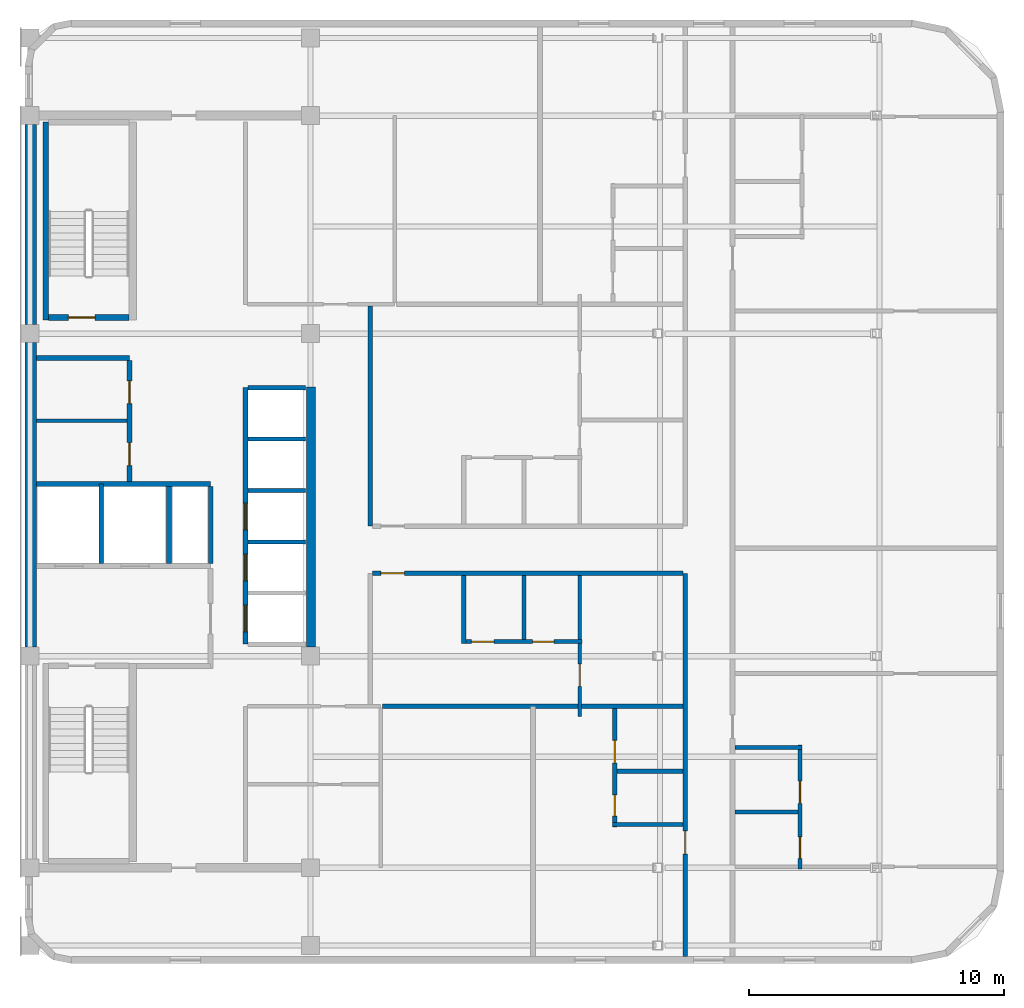
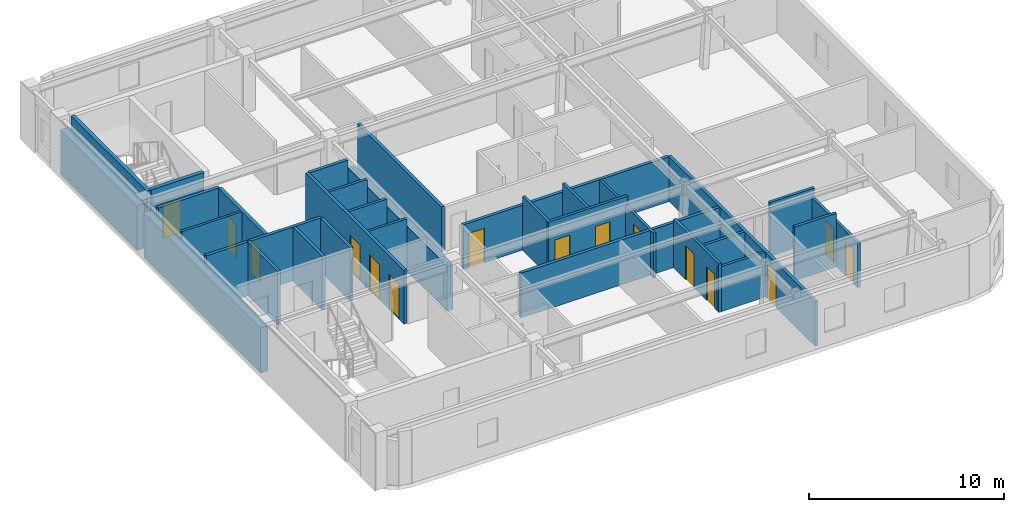
# One storey, part 3 of 6: 31 walls, 15 doors, 15 openings.
"""IFC4 building model written with IfcOpenShell, lengths in metres."""

from ifc_helpers import new_model, si_unit, direction, frame, frame_2d, origin, place, context, subcontext, project, spatial, rectangle, extrude, material, layer, layer_set, type_object, element, fill, save


model = new_model("IFC4")

# Units and contexts
model_context = context("Model", 3, precision=1e-05, world=origin(), true_north=direction((0.0, 1.0)))
body_context = subcontext(model_context, "Body", "Model", "MODEL_VIEW")
ifc_project = project(units=[si_unit("LENGTHUNIT", "METRE"), si_unit("AREAUNIT", "SQUARE_METRE"), si_unit("VOLUMEUNIT", "CUBIC_METRE"), si_unit("PLANEANGLEUNIT", "RADIAN"), si_unit("MASSUNIT", "GRAM", prefix="KILO")], contexts=[model_context])

# Site, building, storey
site_placement = place(None, origin())
site = spatial("IfcSite", under=ifc_project, at=site_placement, CompositionType="ELEMENT")
building_placement = place(site_placement, origin())
building = spatial("IfcBuilding", under=site, at=building_placement, Name="Ochreholt Gables", CompositionType="ELEMENT")
storey_placement = place(building_placement, frame((0.0, 0.0, 253.199951171875)))
storey = spatial("IfcBuildingStorey", under=building, at=storey_placement, Name="L66", CompositionType="ELEMENT", Elevation=253.199951171875)

# Walls
ifc_material_1 = material(Name="Concrete 50 MPa", Category="concrete")
ifc_layer_1 = layer(ifc_material_1, 0.35009765625, Name="Concrete 50 MPa")
ifc_layer_set_1 = layer_set([ifc_layer_1], Name="Concrete 50 MPa")
wall_type_1 = type_object("IfcWallType", Name="WALL-CSW-350", PredefinedType="SHEAR", material=ifc_layer_set_1)
wall_1_placement = place(storey_placement, frame((35.22509765625, 17.89990234375, 0.0), z_axis=(0.0, 0.0, 1.0), x_axis=(0.0, 1.0, 0.0)))
element("IfcWall", 1, at=wall_1_placement, inside=storey, type_object=wall_type_1, Name="L66 Core Central-East Shear Wall", PredefinedType="SHEAR", context=body_context, shape_type="SweptSolid", body=[
    extrude(rectangle(XDim=10.2001953125, YDim=0.35009765625, at=frame_2d((5.10009765625, 0.0))), origin(), (0.0, 0.0, 1.0), 2.821044921875),
])
ifc_layer_2 = layer(ifc_material_1, 0.449951171875, Name="Concrete 50 MPa")
ifc_layer_set_2 = layer_set([ifc_layer_2], Name="Concrete 50 MPa")
wall_type_2 = type_object("IfcWallType", Name="WALL-CSW-EXT", PredefinedType="SHEAR", material=ifc_layer_set_2)
wall_2_placement = place(storey_placement, frame((24.22509765625, 17.89990234375, 0.0), z_axis=(0.0, 0.0, 1.0), x_axis=(0.0, 1.0, 0.0)))
element("IfcWall", 2, at=wall_2_placement, inside=storey, type_object=wall_type_2, Name="L66 Core West Shear Wall WM", PredefinedType="SHEAR", context=body_context, shape_type="SweptSolid", body=[
    extrude(rectangle(XDim=11.9501953125, YDim=0.449951171875, at=frame_2d((5.97509765625, 0.0))), origin(), (0.0, 0.0, 1.0), 2.821044921875),
])
wall_3_placement = place(storey_placement, frame((24.22509765625, 30.550048828125, 0.0), z_axis=(0.0, 0.0, 1.0), x_axis=(0.0, 1.0, 0.0)))
element("IfcWall", 3, at=wall_3_placement, inside=storey, type_object=wall_type_2, Name="L66 Core West Shear Wall WN", PredefinedType="SHEAR", context=body_context, shape_type="SweptSolid", body=[
    extrude(rectangle(XDim=7.849853515625, YDim=0.449951171875, at=frame_2d((3.9248046875, 0.0))), origin(), (0.0, 0.0, 1.0), 2.821044921875),
])
ifc_material_2 = material(Name="Concrete 40 MPa", Category="concrete")
ifc_layer_3 = layer(ifc_material_2, 0.199951171875, Name="Concrete 40 MPa")
ifc_layer_set_3 = layer_set([ifc_layer_3], Name="Concrete 40 MPa")
wall_type_3 = type_object("IfcWallType", Name="WALL-INT-CF200", PredefinedType="STANDARD", material=ifc_layer_set_3)
wall_4_placement = place(storey_placement, frame((24.449951171875, 29.239990234375, 0.0), z_axis=(0.0, 0.0, 1.0), x_axis=(1.0, 0.0, 0.0)))
element("IfcWall", 4, at=wall_4_placement, inside=storey, type_object=wall_type_3, Name="L66 Interior Wall WI-SRVN-L66", PredefinedType="STANDARD", context=body_context, shape_type="SweptSolid", body=[
    extrude(rectangle(XDim=3.650146484375, YDim=0.199951171875, at=frame_2d((1.8251953125, 0.0))), origin(), (0.0, 0.0, 1.0), 3.360107421875),
])

# Wall, openings, doors
wall_5_placement = place(storey_placement, frame((28.10009765625, 24.389892578125, 0.0), z_axis=(0.0, 0.0, 1.0), x_axis=(0.0, 1.0, 0.0)))
wall_5 = element("IfcWall", 5, at=wall_5_placement, inside=storey, type_object=wall_type_3, Name="L66 Interior Wall WI-SRVE-L66", PredefinedType="STANDARD", context=body_context, shape_type="SweptSolid", body=[
    extrude(rectangle(XDim=4.75, YDim=0.199951171875, at=frame_2d((2.375, 0.0))), origin(), (0.0, 0.0, 1.0), 3.360107421875),
])
opening_1_placement = place(wall_5_placement, frame((0.6298828125, 0.0, 0.0)))
opening_1 = element("IfcOpeningElement", 6, at=opening_1_placement, cuts=wall_5, Name="Opening D-SV1", PredefinedType="OPENING", context=body_context, shape_type="SweptSolid", body=[
    extrude(rectangle(XDim=0.89990234375, YDim=2.10009765625, at=frame_2d((0.449951171875, 1.050048828125))), frame((0.0, 0.10986328125, 0.0), z_axis=(0.0, -1.0, 0.0), x_axis=(1.0, 0.0, 0.0)), (0.0, 0.0, 1.0), 0.219970703125),
])
opening_2_placement = place(wall_5_placement, frame((3.06005859375, 0.0, 0.0)))
opening_2 = element("IfcOpeningElement", 7, at=opening_2_placement, cuts=wall_5, Name="Opening D-SV1", PredefinedType="OPENING", context=body_context, shape_type="SweptSolid", body=[
    extrude(rectangle(XDim=0.89990234375, YDim=2.10009765625, at=frame_2d((0.449951171875, 1.050048828125))), frame((0.0, 0.10986328125, 0.0), z_axis=(0.0, -1.0, 0.0), x_axis=(1.0, 0.0, 0.0)), (0.0, 0.0, 1.0), 0.219970703125),
])
ifc_material_3 = material(Name="Hollow Metal Steel", Category="steel")
door_type_1 = type_object("IfcDoorType", Name="DR-INT-SRV900", OperationType="NOTDEFINED", PredefinedType="DOOR", material=ifc_material_3)
door_1_placement = place(opening_1_placement, origin())
door_1 = element("IfcDoor", 8, at=door_1_placement, inside=storey, type_object=door_type_1, Name="L66 Door D-SRV1-L66", OperationType="SINGLE_SWING_LEFT", OverallHeight=2.10009765625, OverallWidth=0.89990234375, PredefinedType="DOOR", context=body_context, shape_type="SweptSolid", body=[
    extrude(rectangle(XDim=0.89990234375, YDim=2.10009765625, at=frame_2d((0.449951171875, 1.050048828125))), frame((0.0, 0.02490234375, 0.0), z_axis=(0.0, -1.0, 0.0), x_axis=(1.0, 0.0, 0.0)), (0.0, 0.0, 1.0), 0.050048828125),
])
fill(opening_1, door_1)
door_2_placement = place(opening_2_placement, origin())
door_2 = element("IfcDoor", 9, at=door_2_placement, inside=storey, type_object=door_type_1, Name="L66 Door D-SRV2-L66", OperationType="SINGLE_SWING_RIGHT", OverallHeight=2.10009765625, OverallWidth=0.89990234375, PredefinedType="DOOR", context=body_context, shape_type="SweptSolid", body=[
    extrude(rectangle(XDim=0.89990234375, YDim=2.10009765625, at=frame_2d((0.449951171875, 1.050048828125))), frame((0.0, 0.02490234375, 0.0), z_axis=(0.0, -1.0, 0.0), x_axis=(1.0, 0.0, 0.0)), (0.0, 0.0, 1.0), 0.050048828125),
])
fill(opening_2, door_2)

# Wall
ifc_material_4 = material(Name="Fire-Rated Gypsum Acoustic Partition", Category="gypsum")
ifc_layer_4 = layer(ifc_material_4, 0.179931640625, Name="Fire-Rated Gypsum Acoustic Partition")
ifc_layer_set_4 = layer_set([ifc_layer_4], Name="Fire-Rated Gypsum Acoustic Partition")
wall_type_4 = type_object("IfcWallType", Name="WALL-INT-CR180", PredefinedType="STANDARD", material=ifc_layer_set_4)
wall_6_placement = place(storey_placement, frame((37.550048828125, 22.64990234375, 0.0), z_axis=(0.0, 0.0, 1.0), x_axis=(0.0, 1.0, 0.0)))
element("IfcWall", 10, at=wall_6_placement, inside=storey, type_object=wall_type_4, Name="L66 Interior Wall WI-C3CE2-L66", PredefinedType="STANDARD", context=body_context, shape_type="SweptSolid", body=[
    extrude(rectangle(XDim=8.627685546875, YDim=0.179931640625, at=frame_2d((4.31396484375, 0.0))), origin(), (0.0, 0.0, 1.0), 2.802978515625),
])

# Wall, opening, door
wall_7_placement = place(storey_placement, frame((49.89990234375, 5.77001953125, 0.0), z_axis=(0.0, 0.0, 1.0), x_axis=(0.0, 1.0, 0.0)))
wall_7 = element("IfcWall", 11, at=wall_7_placement, inside=storey, type_object=wall_type_4, Name="L66 Interior Wall WI-C3GW0-L66", PredefinedType="STANDARD", context=body_context, shape_type="SweptSolid", body=[
    extrude(rectangle(XDim=15.030029296875, YDim=0.179931640625, at=frame_2d((7.51513671875, 0.0))), origin(), (0.0, 0.0, 1.0), 2.802978515625),
])
opening_3_placement = place(wall_7_placement, frame((4.010009765625, 0.0, 0.0)))
opening_3 = element("IfcOpeningElement", 12, at=opening_3_placement, cuts=wall_7, Name="Opening D-UN1", PredefinedType="OPENING", context=body_context, shape_type="SweptSolid", body=[
    extrude(rectangle(XDim=0.919921875, YDim=2.14990234375, at=frame_2d((0.4599609375, 1.074951171875))), frame((0.0, 0.099853515625, 0.0), z_axis=(0.0, -1.0, 0.0), x_axis=(1.0, 0.0, 0.0)), (0.0, 0.0, 1.0), 0.199951171875),
])
ifc_material_5 = material(Name="Engineered Oak Timber", Category="wood")
door_type_2 = type_object("IfcDoorType", Name="DR-INT-UNT920", OperationType="NOTDEFINED", PredefinedType="DOOR", material=ifc_material_5)
door_3_placement = place(opening_3_placement, origin())
door_3 = element("IfcDoor", 13, at=door_3_placement, inside=storey, type_object=door_type_2, Name="L66 Door D-U-L66SM1-ENT", OperationType="SINGLE_SWING_RIGHT", OverallHeight=2.14990234375, OverallWidth=0.919921875, PredefinedType="DOOR", context=body_context, shape_type="SweptSolid", body=[
    extrude(rectangle(XDim=0.919921875, YDim=2.14990234375, at=frame_2d((0.4599609375, 1.074951171875))), frame((0.0, 0.02490234375, 0.0), z_axis=(0.0, -1.0, 0.0), x_axis=(1.0, 0.0, 0.0)), (0.0, 0.0, 1.0), 0.050048828125),
])
fill(opening_3, door_3)

wall_8_placement = place(storey_placement, frame((37.639892578125, 20.800048828125, 0.0), z_axis=(0.0, 0.0, 1.0), x_axis=(1.0, 0.0, 0.0)))
wall_8 = element("IfcWall", 14, at=wall_8_placement, inside=storey, type_object=wall_type_4, Name="L66 Interior Wall WI-C3BRS1-L66", PredefinedType="STANDARD", context=body_context, shape_type="SweptSolid", body=[
    extrude(rectangle(XDim=12.170166015625, YDim=0.179931640625, at=frame_2d((6.0849609375, 0.0))), origin(), (0.0, 0.0, 1.0), 2.802978515625),
])
opening_4_placement = place(wall_8_placement, frame((0.320068359375, 0.0, 0.0)))
opening_4 = element("IfcOpeningElement", 15, at=opening_4_placement, cuts=wall_8, Name="Opening D-UN1", PredefinedType="OPENING", context=body_context, shape_type="SweptSolid", body=[
    extrude(rectangle(XDim=0.919921875, YDim=2.14990234375, at=frame_2d((0.4599609375, 1.074951171875))), frame((0.0, 0.099853515625, 0.0), z_axis=(0.0, -1.0, 0.0), x_axis=(1.0, 0.0, 0.0)), (0.0, 0.0, 1.0), 0.199951171875),
])
door_4_placement = place(opening_4_placement, origin())
door_4 = element("IfcDoor", 16, at=door_4_placement, inside=storey, type_object=door_type_2, Name="L66 Door D-U-L66SM2-ENT", OperationType="SINGLE_SWING_RIGHT", OverallHeight=2.14990234375, OverallWidth=0.919921875, PredefinedType="DOOR", context=body_context, shape_type="SweptSolid", body=[
    extrude(rectangle(XDim=0.919921875, YDim=2.14990234375, at=frame_2d((0.4599609375, 1.074951171875))), frame((0.0, 0.02490234375, 0.0), z_axis=(0.0, -1.0, 0.0), x_axis=(1.0, 0.0, 0.0)), (0.0, 0.0, 1.0), 0.050048828125),
])
fill(opening_4, door_4)

# Walls
ifc_material_6 = material(Name="Double-Stud Acoustic Demising Wall", Category="gypsum")
ifc_layer_5 = layer(ifc_material_6, 0.18505859375, Name="Double-Stud Acoustic Demising Wall")
ifc_layer_set_5 = layer_set([ifc_layer_5], Name="Double-Stud Acoustic Demising Wall")
wall_type_5 = type_object("IfcWallType", Name="WALL-INT-DM185", PredefinedType="PARTITIONING", material=ifc_layer_set_5)
wall_9_placement = place(storey_placement, frame((38.0224609375, 15.580078125, 0.0), z_axis=(0.0, 0.0, 1.0), x_axis=(1.0, 0.0, 0.0)))
element("IfcWall", 17, at=wall_9_placement, inside=storey, type_object=wall_type_5, Name="L66 Interior Wall WI-C3SMY-L66", PredefinedType="PARTITIONING", context=body_context, shape_type="SweptSolid", body=[
    extrude(rectangle(XDim=11.78759765625, YDim=0.18505859375, at=frame_2d((5.893798828125, 0.0))), origin(), (0.0, 0.0, 1.0), 2.802978515625),
])
ifc_material_7 = material(Name="Moisture-Resistant Plumbing Chase Wall", Category="gypsum")
ifc_layer_6 = layer(ifc_material_7, 0.159912109375, Name="Moisture-Resistant Plumbing Chase Wall")
ifc_layer_set_6 = layer_set([ifc_layer_6], Name="Moisture-Resistant Plumbing Chase Wall")
wall_type_6 = type_object("IfcWallType", Name="WALL-INT-PL160", PredefinedType="PLUMBINGWALL", material=ifc_layer_set_6)
wall_10_placement = place(storey_placement, frame((51.840087890625, 13.968505859375, 0.0), z_axis=(0.0, 0.0, 1.0), x_axis=(1.0, 0.0, 0.0)))
element("IfcWall", 18, at=wall_10_placement, inside=storey, type_object=wall_type_6, Name="L66 Interior Wall WU-L66E1-FYN", PredefinedType="PLUMBINGWALL", context=body_context, shape_type="SweptSolid", body=[
    extrude(rectangle(XDim=2.635986328125, YDim=0.159912109375, at=frame_2d((1.31787109375, 0.0))), origin(), (0.0, 0.0, 1.0), 3.360107421875),
])

# Wall, openings, doors
wall_11_placement = place(storey_placement, frame((54.39599609375, 9.199951171875, 0.0), z_axis=(0.0, 0.0, 1.0), x_axis=(0.0, 1.0, 0.0)))
wall_11 = element("IfcWall", 19, at=wall_11_placement, inside=storey, type_object=wall_type_6, Name="L66 Interior Wall WU-L66E1-WX", PredefinedType="PLUMBINGWALL", context=body_context, shape_type="SweptSolid", body=[
    extrude(rectangle(XDim=4.858642578125, YDim=0.159912109375, at=frame_2d((2.42919921875, 0.0))), origin(), (0.0, 0.0, 1.0), 2.802978515625),
])
opening_5_placement = place(wall_11_placement, frame((0.419921875, 0.0, 0.0)))
opening_5 = element("IfcOpeningElement", 20, at=opening_5_placement, cuts=wall_11, Name="Opening D-BT2", PredefinedType="OPENING", context=body_context, shape_type="SweptSolid", body=[
    extrude(rectangle(XDim=0.840087890625, YDim=2.1201171875, at=frame_2d((0.419921875, 1.06005859375))), frame((0.0, 0.08984375, 0.0), z_axis=(0.0, -1.0, 0.0), x_axis=(1.0, 0.0, 0.0)), (0.0, 0.0, 1.0), 0.179931640625),
])
opening_6_placement = place(wall_11_placement, frame((2.572021484375, 0.0, 0.0)))
opening_6 = element("IfcOpeningElement", 21, at=opening_6_placement, cuts=wall_11, Name="Opening D-GN2", PredefinedType="OPENING", context=body_context, shape_type="SweptSolid", body=[
    extrude(rectangle(XDim=0.8798828125, YDim=2.1201171875, at=frame_2d((0.43994140625, 1.06005859375))), frame((0.0, 0.08984375, 0.0), z_axis=(0.0, -1.0, 0.0), x_axis=(1.0, 0.0, 0.0)), (0.0, 0.0, 1.0), 0.179931640625),
])
door_type_3 = type_object("IfcDoorType", Name="DR-INT-BTH840", OperationType="NOTDEFINED", PredefinedType="DOOR", material=ifc_material_5)
door_5_placement = place(opening_5_placement, origin())
door_5 = element("IfcDoor", 22, at=door_5_placement, inside=storey, type_object=door_type_3, Name="L66 Door D-U-L66E1-BTH", OperationType="SINGLE_SWING_LEFT", OverallHeight=2.1201171875, OverallWidth=0.840087890625, PredefinedType="DOOR", context=body_context, shape_type="SweptSolid", body=[
    extrude(rectangle(XDim=0.840087890625, YDim=2.1201171875, at=frame_2d((0.419921875, 1.06005859375))), frame((0.0, 0.02490234375, 0.0), z_axis=(0.0, -1.0, 0.0), x_axis=(1.0, 0.0, 0.0)), (0.0, 0.0, 1.0), 0.050048828125),
])
fill(opening_5, door_5)
door_type_4 = type_object("IfcDoorType", Name="DR-INT-GEN880", OperationType="NOTDEFINED", PredefinedType="DOOR", material=ifc_material_5)
door_6_placement = place(opening_6_placement, origin())
door_6 = element("IfcDoor", 23, at=door_6_placement, inside=storey, type_object=door_type_4, Name="L66 Door D-U-L66E1-KIT", OperationType="SINGLE_SWING_RIGHT", OverallHeight=2.1201171875, OverallWidth=0.8798828125, PredefinedType="DOOR", context=body_context, shape_type="SweptSolid", body=[
    extrude(rectangle(XDim=0.8798828125, YDim=2.1201171875, at=frame_2d((0.43994140625, 1.06005859375))), frame((0.0, 0.02490234375, 0.0), z_axis=(0.0, -1.0, 0.0), x_axis=(1.0, 0.0, 0.0)), (0.0, 0.0, 1.0), 0.050048828125),
])
fill(opening_6, door_6)

# Walls
wall_12_placement = place(storey_placement, frame((51.840087890625, 11.442138671875, 0.0), z_axis=(0.0, 0.0, 1.0), x_axis=(1.0, 0.0, 0.0)))
element("IfcWall", 24, at=wall_12_placement, inside=storey, type_object=wall_type_6, Name="L66 Interior Wall WU-L66E1-WK", PredefinedType="PLUMBINGWALL", context=body_context, shape_type="SweptSolid", body=[
    extrude(rectangle(XDim=2.475830078125, YDim=0.159912109375, at=frame_2d((1.23779296875, 0.0))), origin(), (0.0, 0.0, 1.0), 3.360107421875),
])
wall_13_placement = place(storey_placement, frame((47.052001953125, 10.93994140625, 0.0), z_axis=(0.0, 0.0, 1.0), x_axis=(1.0, 0.0, 0.0)))
element("IfcWall", 25, at=wall_13_placement, inside=storey, type_object=wall_type_6, Name="L66 Interior Wall WU-L66SM1-WYS", PredefinedType="PLUMBINGWALL", context=body_context, shape_type="SweptSolid", body=[
    extrude(rectangle(XDim=2.758056640625, YDim=0.159912109375, at=frame_2d((1.37890625, 0.0))), origin(), (0.0, 0.0, 1.0), 2.802978515625),
])

# Wall, openings, doors
wall_14_placement = place(storey_placement, frame((47.132080078125, 10.85009765625, 0.0), z_axis=(0.0, 0.0, 1.0), x_axis=(0.0, 1.0, 0.0)))
wall_14 = element("IfcWall", 26, at=wall_14_placement, inside=storey, type_object=wall_type_6, Name="L66 Interior Wall WU-L66SM1-WX", PredefinedType="PLUMBINGWALL", context=body_context, shape_type="SweptSolid", body=[
    extrude(rectangle(XDim=4.637451171875, YDim=0.159912109375, at=frame_2d((2.31884765625, 0.0))), origin(), (0.0, 0.0, 1.0), 3.0390625),
])
opening_7_placement = place(wall_14_placement, frame((0.419921875, 0.0, 0.0)))
opening_7 = element("IfcOpeningElement", 27, at=opening_7_placement, cuts=wall_14, Name="Opening D-BT2", PredefinedType="OPENING", context=body_context, shape_type="SweptSolid", body=[
    extrude(rectangle(XDim=0.840087890625, YDim=2.1201171875, at=frame_2d((0.419921875, 1.06005859375))), frame((0.0, 0.08984375, 0.0), z_axis=(0.0, -1.0, 0.0), x_axis=(1.0, 0.0, 0.0)), (0.0, 0.0, 1.0), 0.179931640625),
])
opening_8_placement = place(wall_14_placement, frame((2.512939453125, 0.0, 0.0)))
opening_8 = element("IfcOpeningElement", 28, at=opening_8_placement, cuts=wall_14, Name="Opening D-GN2", PredefinedType="OPENING", context=body_context, shape_type="SweptSolid", body=[
    extrude(rectangle(XDim=0.8798828125, YDim=2.1201171875, at=frame_2d((0.43994140625, 1.06005859375))), frame((0.0, 0.08984375, 0.0), z_axis=(0.0, -1.0, 0.0), x_axis=(1.0, 0.0, 0.0)), (0.0, 0.0, 1.0), 0.179931640625),
])
door_7_placement = place(opening_7_placement, origin())
door_7 = element("IfcDoor", 29, at=door_7_placement, inside=storey, type_object=door_type_3, Name="L66 Door D-U-L66SM1-BTH", OperationType="SINGLE_SWING_LEFT", OverallHeight=2.1201171875, OverallWidth=0.840087890625, PredefinedType="DOOR", context=body_context, shape_type="SweptSolid", body=[
    extrude(rectangle(XDim=0.840087890625, YDim=2.1201171875, at=frame_2d((0.419921875, 1.06005859375))), frame((0.0, 0.02490234375, 0.0), z_axis=(0.0, -1.0, 0.0), x_axis=(1.0, 0.0, 0.0)), (0.0, 0.0, 1.0), 0.050048828125),
])
fill(opening_7, door_7)
door_8_placement = place(opening_8_placement, origin())
door_8 = element("IfcDoor", 30, at=door_8_placement, inside=storey, type_object=door_type_4, Name="L66 Door D-U-L66SM1-KIT", OperationType="SINGLE_SWING_RIGHT", OverallHeight=2.1201171875, OverallWidth=0.8798828125, PredefinedType="DOOR", context=body_context, shape_type="SweptSolid", body=[
    extrude(rectangle(XDim=0.8798828125, YDim=2.1201171875, at=frame_2d((0.43994140625, 1.06005859375))), frame((0.0, 0.02490234375, 0.0), z_axis=(0.0, -1.0, 0.0), x_axis=(1.0, 0.0, 0.0)), (0.0, 0.0, 1.0), 0.050048828125),
])
fill(opening_8, door_8)

# Wall
wall_15_placement = place(storey_placement, frame((47.2119140625, 13.032958984375, 0.0), z_axis=(0.0, 0.0, 1.0), x_axis=(1.0, 0.0, 0.0)))
element("IfcWall", 31, at=wall_15_placement, inside=storey, type_object=wall_type_6, Name="L66 Interior Wall WU-L66SM1-WM", PredefinedType="PLUMBINGWALL", context=body_context, shape_type="SweptSolid", body=[
    extrude(rectangle(XDim=2.59814453125, YDim=0.159912109375, at=frame_2d((1.299072265625, 0.0))), origin(), (0.0, 0.0, 1.0), 2.802978515625),
])

# Wall, openings, doors
wall_16_placement = place(storey_placement, frame((41.1298828125, 18.117431640625, 0.0), z_axis=(0.0, 0.0, 1.0), x_axis=(1.0, 0.0, 0.0)))
wall_16 = element("IfcWall", 32, at=wall_16_placement, inside=storey, type_object=wall_type_6, Name="L66 Interior Wall WU-L66SM2-WY", PredefinedType="PLUMBINGWALL", context=body_context, shape_type="SweptSolid", body=[
    extrude(rectangle(XDim=4.710205078125, YDim=0.159912109375, at=frame_2d((2.35498046875, 0.0))), origin(), (0.0, 0.0, 1.0), 3.360107421875),
])
opening_9_placement = place(wall_16_placement, frame((0.3798828125, 0.0, 0.0)))
opening_9 = element("IfcOpeningElement", 33, at=opening_9_placement, cuts=wall_16, Name="Opening D-GN2", PredefinedType="OPENING", context=body_context, shape_type="SweptSolid", body=[
    extrude(rectangle(XDim=0.8798828125, YDim=2.1201171875, at=frame_2d((0.43994140625, 1.06005859375))), frame((0.0, 0.08984375, 0.0), z_axis=(0.0, -1.0, 0.0), x_axis=(1.0, 0.0, 0.0)), (0.0, 0.0, 1.0), 0.179931640625),
])
opening_10_placement = place(wall_16_placement, frame((2.785888671875, 0.0, 0.0)))
opening_10 = element("IfcOpeningElement", 34, at=opening_10_placement, cuts=wall_16, Name="Opening D-BT2", PredefinedType="OPENING", context=body_context, shape_type="SweptSolid", body=[
    extrude(rectangle(XDim=0.840087890625, YDim=2.1201171875, at=frame_2d((0.419921875, 1.06005859375))), frame((0.0, 0.08984375, 0.0), z_axis=(0.0, -1.0, 0.0), x_axis=(1.0, 0.0, 0.0)), (0.0, 0.0, 1.0), 0.179931640625),
])
door_9_placement = place(opening_10_placement, origin())
door_9 = element("IfcDoor", 35, at=door_9_placement, inside=storey, type_object=door_type_3, Name="L66 Door D-U-L66SM2-BTH", OperationType="SINGLE_SWING_RIGHT", OverallHeight=2.1201171875, OverallWidth=0.840087890625, PredefinedType="DOOR", context=body_context, shape_type="SweptSolid", body=[
    extrude(rectangle(XDim=0.840087890625, YDim=2.1201171875, at=frame_2d((0.419921875, 1.06005859375))), frame((0.0, 0.02490234375, 0.0), z_axis=(0.0, -1.0, 0.0), x_axis=(1.0, 0.0, 0.0)), (0.0, 0.0, 1.0), 0.050048828125),
])
fill(opening_10, door_9)
door_10_placement = place(opening_9_placement, origin())
door_10 = element("IfcDoor", 36, at=door_10_placement, inside=storey, type_object=door_type_4, Name="L66 Door D-U-L66SM2-KIT", OperationType="SINGLE_SWING_LEFT", OverallHeight=2.1201171875, OverallWidth=0.8798828125, PredefinedType="DOOR", context=body_context, shape_type="SweptSolid", body=[
    extrude(rectangle(XDim=0.8798828125, YDim=2.1201171875, at=frame_2d((0.43994140625, 1.06005859375))), frame((0.0, 0.02490234375, 0.0), z_axis=(0.0, -1.0, 0.0), x_axis=(1.0, 0.0, 0.0)), (0.0, 0.0, 1.0), 0.050048828125),
])
fill(opening_9, door_10)

# Walls
wall_17_placement = place(storey_placement, frame((41.2099609375, 18.03759765625, 0.0), z_axis=(0.0, 0.0, 1.0), x_axis=(0.0, 1.0, 0.0)))
element("IfcWall", 37, at=wall_17_placement, inside=storey, type_object=wall_type_6, Name="L66 Interior Wall WU-L66SM2-FY", PredefinedType="PLUMBINGWALL", context=body_context, shape_type="SweptSolid", body=[
    extrude(rectangle(XDim=2.67236328125, YDim=0.159912109375, at=frame_2d((1.336181640625, 0.0))), origin(), (0.0, 0.0, 1.0), 3.360107421875),
])
wall_18_placement = place(storey_placement, frame((43.575927734375, 18.197509765625, 0.0), z_axis=(0.0, 0.0, 1.0), x_axis=(0.0, 1.0, 0.0)))
element("IfcWall", 38, at=wall_18_placement, inside=storey, type_object=wall_type_6, Name="L66 Interior Wall WU-L66SM2-WK", PredefinedType="PLUMBINGWALL", context=body_context, shape_type="SweptSolid", body=[
    extrude(rectangle(XDim=2.512451171875, YDim=0.159912109375, at=frame_2d((1.25634765625, 0.0))), origin(), (0.0, 0.0, 1.0), 3.360107421875),
])
ifc_material_8 = material(Name="Lightweight Stud Partition", Category="gypsum")
ifc_layer_7 = layer(ifc_material_8, 0.14501953125, Name="Lightweight Stud Partition")
ifc_layer_set_7 = layer_set([ifc_layer_7], Name="Lightweight Stud Partition")
wall_type_7 = type_object("IfcWallType", Name="WALL-INT-PT145", PredefinedType="PARTITIONING", material=ifc_layer_set_7)
wall_19_placement = place(storey_placement, frame((24.449951171875, 26.780029296875, 0.0), z_axis=(0.0, 0.0, 1.0), x_axis=(1.0, 0.0, 0.0)))
element("IfcWall", 39, at=wall_19_placement, inside=storey, type_object=wall_type_7, Name="L66 Interior Wall WI-SRVP1-L66", PredefinedType="PARTITIONING", context=body_context, shape_type="SweptSolid", body=[
    extrude(rectangle(XDim=3.550048828125, YDim=0.14501953125, at=frame_2d((1.77490234375, 0.0))), origin(), (0.0, 0.0, 1.0), 3.360107421875),
])

# Wall, opening, door
wall_20_placement = place(storey_placement, frame((45.760009765625, 15.18994140625, 0.0), z_axis=(0.0, 0.0, 1.0), x_axis=(0.0, 1.0, 0.0)))
wall_20 = element("IfcWall", 40, at=wall_20_placement, inside=storey, type_object=wall_type_7, Name="L66 Interior Wall WU-L66SM2-MNX", PredefinedType="PARTITIONING", context=body_context, shape_type="SweptSolid", body=[
    extrude(rectangle(XDim=5.52001953125, YDim=0.14501953125, at=frame_2d((2.760009765625, 0.0))), origin(), (0.0, 0.0, 1.0), 2.802978515625),
])
opening_11_placement = place(wall_20_placement, frame((1.173828125, 0.0, 0.0)))
opening_11 = element("IfcOpeningElement", 41, at=opening_11_placement, cuts=wall_20, Name="Opening D-BD2", PredefinedType="OPENING", context=body_context, shape_type="SweptSolid", body=[
    extrude(rectangle(XDim=0.8798828125, YDim=2.139892578125, at=frame_2d((0.43994140625, 1.06982421875))), frame((0.0, 0.08251953125, 0.0), z_axis=(0.0, -1.0, 0.0), x_axis=(1.0, 0.0, 0.0)), (0.0, 0.0, 1.0), 0.1650390625),
])
door_type_5 = type_object("IfcDoorType", Name="DR-INT-BED880", OperationType="NOTDEFINED", PredefinedType="DOOR", material=ifc_material_5)
door_11_placement = place(opening_11_placement, origin())
door_11 = element("IfcDoor", 42, at=door_11_placement, inside=storey, type_object=door_type_5, Name="L66 Door D-U-L66SM2-BD1", OperationType="SINGLE_SWING_LEFT", OverallHeight=2.139892578125, OverallWidth=0.8798828125, PredefinedType="DOOR", context=body_context, shape_type="SweptSolid", body=[
    extrude(rectangle(XDim=0.8798828125, YDim=2.139892578125, at=frame_2d((0.43994140625, 1.06982421875))), frame((0.0, 0.02490234375, 0.0), z_axis=(0.0, -1.0, 0.0), x_axis=(1.0, 0.0, 0.0)), (0.0, 0.0, 1.0), 0.050048828125),
])
fill(opening_11, door_11)

# Walls
ifc_material_9 = material(Name="Gypsum Shaftliner and Steel Stud", Category="steel")
ifc_layer_8 = layer(ifc_material_9, 0.14990234375, Name="Gypsum Shaftliner and Steel Stud")
ifc_layer_set_8 = layer_set([ifc_layer_8], Name="Gypsum Shaftliner and Steel Stud")
wall_type_8 = type_object("IfcWallType", Name="WALL-INT-SH150", PredefinedType="STANDARD", material=ifc_layer_set_8)
for number, where, z_axis, x_axis, name in (
    (43, (32.739990234375, 22.02001953125, 0.0), (0.0, 0.0, 1.0), (1.0, 0.0, 0.0), "L66 Interior Wall WI-LFHE-DH2-L66"),
    (44, (32.739990234375, 24.050048828125, 0.0), (0.0, 0.0, 1.0), (1.0, 0.0, 0.0), "L66 Interior Wall WI-LFHE-DHE-L66"),
    (45, (32.739990234375, 26.070068359375, 0.0), (0.0, 0.0, 1.0), (1.0, 0.0, 0.0), "L66 Interior Wall WI-LFHE-DEX1-L66"),
):
    element("IfcWall", number, at=place(storey_placement, frame(where, z_axis=z_axis, x_axis=x_axis)), inside=storey, type_object=wall_type_8, Name=name, PredefinedType="STANDARD", context=body_context, shape_type="SweptSolid", body=[
        extrude(rectangle(XDim=2.260009765625, YDim=0.14990234375, at=frame_2d((1.1298828125, 0.0))), origin(), (0.0, 0.0, 1.0), 3.360107421875),
    ])
ifc_layer_9 = layer(ifc_material_9, 0.179931640625, Name="Gypsum Shaftliner and Steel Stud")
ifc_layer_set_9 = layer_set([ifc_layer_9], Name="Gypsum Shaftliner and Steel Stud")
wall_type_9 = type_object("IfcWallType", Name="WALL-INT-SH180", PredefinedType="STANDARD", material=ifc_layer_set_9)
wall_21_placement = place(storey_placement, frame((27.0, 21.18994140625, 0.0), z_axis=(0.0, 0.0, 1.0), x_axis=(0.0, 1.0, 0.0)))
element("IfcWall", 46, at=wall_21_placement, inside=storey, type_object=wall_type_9, Name="L66 Interior Wall WI-FFDIV-L66", PredefinedType="STANDARD", context=body_context, shape_type="SweptSolid", body=[
    extrude(rectangle(XDim=3.110107421875, YDim=0.179931640625, at=frame_2d((1.55517578125, 0.0))), origin(), (0.0, 0.0, 1.0), 3.360107421875),
])
wall_22_placement = place(storey_placement, frame((24.449951171875, 24.300048828125, 0.0), z_axis=(0.0, 0.0, 1.0), x_axis=(1.0, 0.0, 0.0)))
element("IfcWall", 47, at=wall_22_placement, inside=storey, type_object=wall_type_9, Name="L66 Interior Wall WI-FFBK-L66", PredefinedType="STANDARD", context=body_context, shape_type="SweptSolid", body=[
    extrude(rectangle(XDim=6.830078125, YDim=0.179931640625, at=frame_2d((3.4150390625, 0.0))), origin(), (0.0, 0.0, 1.0), 3.360107421875),
])
for number, where, z_axis, x_axis, name in (
    (48, (29.64990234375, 21.18994140625, 0.0), (0.0, 0.0, 1.0), (0.0, 1.0, 0.0), "L66 Interior Wall WI-FFSH-L66"),
    (49, (31.280029296875, 21.18994140625, 0.0), (0.0, 0.0, 1.0), (0.0, 1.0, 0.0), "L66 Interior Wall WI-RSE-L66"),
):
    element("IfcWall", number, at=place(storey_placement, frame(where, z_axis=z_axis, x_axis=x_axis)), inside=storey, type_object=wall_type_9, Name=name, PredefinedType="STANDARD", context=body_context, shape_type="SweptSolid", body=[
        extrude(rectangle(XDim=3.02001953125, YDim=0.179931640625, at=frame_2d((1.510009765625, 0.0))), origin(), (0.0, 0.0, 1.0), 3.360107421875),
    ])

# Wall, openings, doors
wall_23_placement = place(storey_placement, frame((32.64990234375, 18.02001953125, 0.0), z_axis=(0.0, 0.0, 1.0), x_axis=(0.0, 1.0, 0.0)))
wall_23 = element("IfcWall", 50, at=wall_23_placement, inside=storey, type_object=wall_type_9, Name="L66 Interior Wall WI-LFHE-FR-L66", PredefinedType="STANDARD", context=body_context, shape_type="SweptSolid", body=[
    extrude(rectangle(XDim=10.06005859375, YDim=0.179931640625, at=frame_2d((5.030029296875, 0.0))), origin(), (0.0, 0.0, 1.0), 3.360107421875),
])
opening_12_placement = place(wall_23_placement, frame((0.47998046875, 0.0, 0.0)))
opening_12 = element("IfcOpeningElement", 51, at=opening_12_placement, cuts=wall_23, Name="Opening LD-PX", PredefinedType="OPENING", context=body_context, shape_type="SweptSolid", body=[
    extrude(rectangle(XDim=1.050048828125, YDim=2.199951171875, at=frame_2d((0.52490234375, 1.10009765625))), frame((0.0, 0.099853515625, 0.0), z_axis=(0.0, -1.0, 0.0), x_axis=(1.0, 0.0, 0.0)), (0.0, 0.0, 1.0), 0.199951171875),
])
opening_13_placement = place(wall_23_placement, frame((2.47998046875, 0.0, 0.0)))
opening_13 = element("IfcOpeningElement", 52, at=opening_13_placement, cuts=wall_23, Name="Opening LD-PX", PredefinedType="OPENING", context=body_context, shape_type="SweptSolid", body=[
    extrude(rectangle(XDim=1.050048828125, YDim=2.199951171875, at=frame_2d((0.52490234375, 1.10009765625))), frame((0.0, 0.099853515625, 0.0), z_axis=(0.0, -1.0, 0.0), x_axis=(1.0, 0.0, 0.0)), (0.0, 0.0, 1.0), 0.199951171875),
])
opening_14_placement = place(wall_23_placement, frame((4.47998046875, 0.0, 0.0)))
opening_14 = element("IfcOpeningElement", 53, at=opening_14_placement, cuts=wall_23, Name="Opening LD-PX", PredefinedType="OPENING", context=body_context, shape_type="SweptSolid", body=[
    extrude(rectangle(XDim=1.050048828125, YDim=2.199951171875, at=frame_2d((0.52490234375, 1.10009765625))), frame((0.0, 0.099853515625, 0.0), z_axis=(0.0, -1.0, 0.0), x_axis=(1.0, 0.0, 0.0)), (0.0, 0.0, 1.0), 0.199951171875),
])
ifc_material_10 = material(Name="Stainless Steel", Category="steel")
door_type_6 = type_object("IfcDoorType", Name="DR-LFT-PX1050", OperationType="NOTDEFINED", PredefinedType="DOOR", material=ifc_material_10)
door_12_placement = place(opening_12_placement, origin())
door_12 = element("IfcDoor", 54, at=door_12_placement, inside=storey, type_object=door_type_6, Name="L66 Door LD-LF-H1-L66", OperationType="SLIDING_TO_LEFT", OverallHeight=2.199951171875, OverallWidth=1.050048828125, PredefinedType="DOOR", context=body_context, shape_type="SweptSolid", body=[
    extrude(rectangle(XDim=1.050048828125, YDim=2.199951171875, at=frame_2d((0.52490234375, 1.10009765625))), frame((0.0, 0.02490234375, 0.0), z_axis=(0.0, -1.0, 0.0), x_axis=(1.0, 0.0, 0.0)), (0.0, 0.0, 1.0), 0.050048828125),
])
fill(opening_12, door_12)
door_13_placement = place(opening_13_placement, origin())
door_13 = element("IfcDoor", 55, at=door_13_placement, inside=storey, type_object=door_type_6, Name="L66 Door LD-LF-H2-L66", OperationType="SLIDING_TO_LEFT", OverallHeight=2.199951171875, OverallWidth=1.050048828125, PredefinedType="DOOR", context=body_context, shape_type="SweptSolid", body=[
    extrude(rectangle(XDim=1.050048828125, YDim=2.199951171875, at=frame_2d((0.52490234375, 1.10009765625))), frame((0.0, 0.02490234375, 0.0), z_axis=(0.0, -1.0, 0.0), x_axis=(1.0, 0.0, 0.0)), (0.0, 0.0, 1.0), 0.050048828125),
])
fill(opening_13, door_13)
door_14_placement = place(opening_14_placement, origin())
door_14 = element("IfcDoor", 56, at=door_14_placement, inside=storey, type_object=door_type_6, Name="L66 Door LD-LF-H3-L66", OperationType="SLIDING_TO_LEFT", OverallHeight=2.199951171875, OverallWidth=1.050048828125, PredefinedType="DOOR", context=body_context, shape_type="SweptSolid", body=[
    extrude(rectangle(XDim=1.050048828125, YDim=2.199951171875, at=frame_2d((0.52490234375, 1.10009765625))), frame((0.0, 0.02490234375, 0.0), z_axis=(0.0, -1.0, 0.0), x_axis=(1.0, 0.0, 0.0)), (0.0, 0.0, 1.0), 0.050048828125),
])
fill(opening_14, door_14)

# Walls
wall_24_placement = place(storey_placement, frame((32.739990234375, 28.080078125, 0.0), z_axis=(0.0, 0.0, 1.0), x_axis=(1.0, 0.0, 0.0)))
element("IfcWall", 57, at=wall_24_placement, inside=storey, type_object=wall_type_9, Name="L66 Interior Wall WI-LFHE-N-L66", PredefinedType="STANDARD", context=body_context, shape_type="SweptSolid", body=[
    extrude(rectangle(XDim=2.260009765625, YDim=0.179931640625, at=frame_2d((1.1298828125, 0.0))), origin(), (0.0, 0.0, 1.0), 3.360107421875),
])
ifc_layer_10 = layer(ifc_material_1, 0.219970703125, Name="Concrete 50 MPa")
ifc_layer_set_10 = layer_set([ifc_layer_10], Name="Concrete 50 MPa")
wall_type_10 = type_object("IfcWallType", Name="WALL-STW-220", PredefinedType="SHEAR", material=ifc_layer_set_10)
wall_25_placement = place(storey_placement, frame((24.81005859375, 30.739990234375, 0.0), z_axis=(0.0, 0.0, 1.0), x_axis=(0.0, 1.0, 0.0)))
element("IfcWall", 58, at=wall_25_placement, inside=storey, type_object=wall_type_10, Name="L66 Exit Stair 2 West Wall", PredefinedType="SHEAR", context=body_context, shape_type="SweptSolid", body=[
    extrude(rectangle(XDim=7.760009765625, YDim=0.219970703125, at=frame_2d((3.8798828125, 0.0))), origin(), (0.0, 0.0, 1.0), 3.360107421875),
])

# Wall, opening, door
wall_26_placement = place(storey_placement, frame((24.919921875, 30.830078125, 0.0), z_axis=(0.0, 0.0, 1.0), x_axis=(1.0, 0.0, 0.0)))
wall_26 = element("IfcWall", 59, at=wall_26_placement, inside=storey, type_object=wall_type_10, Name="L66 Exit Stair 2 South Wall", PredefinedType="SHEAR", context=body_context, shape_type="SweptSolid", body=[
    extrude(rectangle(XDim=3.16015625, YDim=0.219970703125, at=frame_2d((1.580078125, 0.0))), origin(), (0.0, 0.0, 1.0), 3.360107421875),
])
opening_15_placement = place(wall_26_placement, frame((0.780029296875, 0.0, 0.0)))
opening_15 = element("IfcOpeningElement", 60, at=opening_15_placement, cuts=wall_26, Name="Opening D-STC", PredefinedType="OPENING", context=body_context, shape_type="SweptSolid", body=[
    extrude(rectangle(XDim=1.050048828125, YDim=2.14990234375, at=frame_2d((0.52490234375, 1.074951171875))), frame((0.0, 0.119873046875, 0.0), z_axis=(0.0, -1.0, 0.0), x_axis=(1.0, 0.0, 0.0)), (0.0, 0.0, 1.0), 0.239990234375),
])
door_type_7 = type_object("IfcDoorType", Name="DR-INT-ST1050", OperationType="NOTDEFINED", PredefinedType="DOOR", material=ifc_material_3)
door_15_placement = place(opening_15_placement, origin())
door_15 = element("IfcDoor", 61, at=door_15_placement, inside=storey, type_object=door_type_7, Name="L66 Door D-ST2-L66", OperationType="SINGLE_SWING_RIGHT", OverallHeight=2.14990234375, OverallWidth=1.050048828125, PredefinedType="DOOR", context=body_context, shape_type="SweptSolid", body=[
    extrude(rectangle(XDim=1.050048828125, YDim=2.14990234375, at=frame_2d((0.52490234375, 1.074951171875))), frame((0.0, 0.02490234375, 0.0), z_axis=(0.0, -1.0, 0.0), x_axis=(1.0, 0.0, 0.0)), (0.0, 0.0, 1.0), 0.050048828125),
])
fill(opening_15, door_15)

save(model, "model.ifc")
